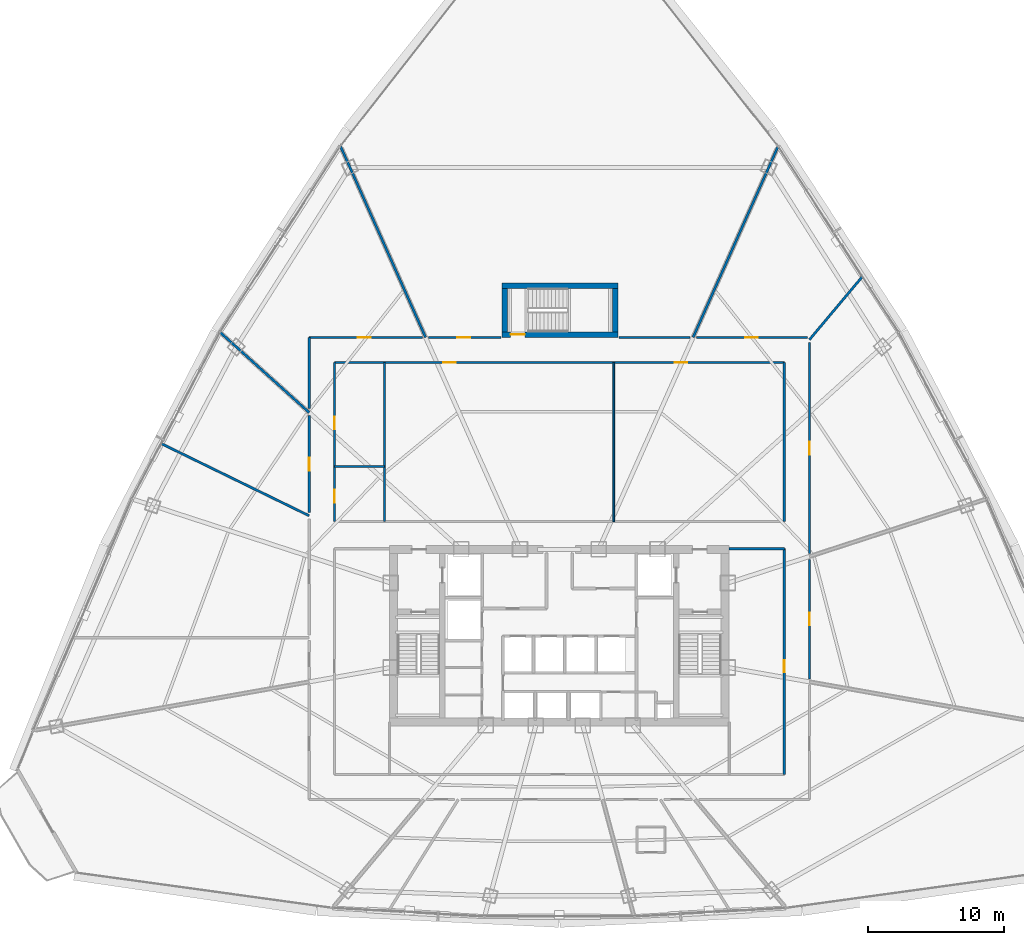
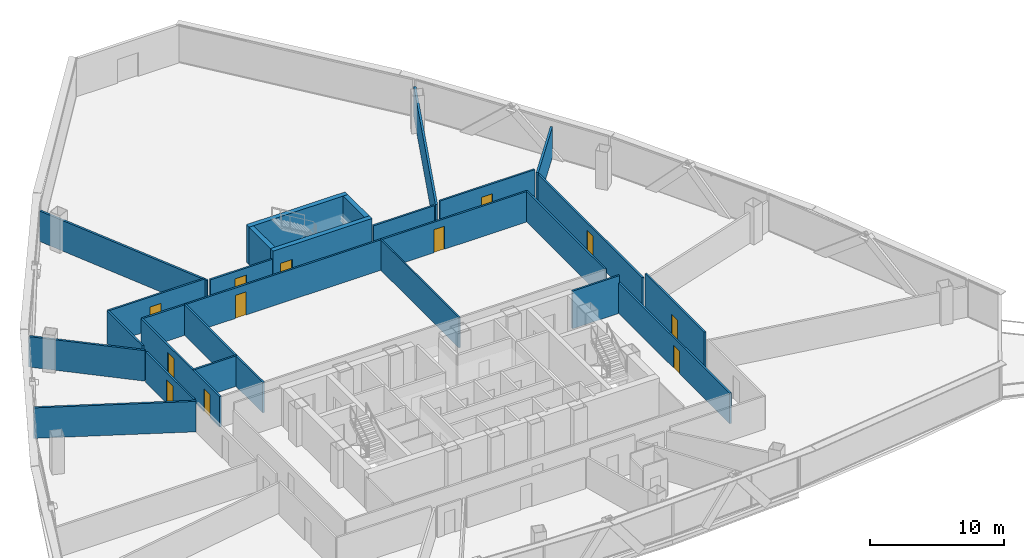
# One storey, part 34 of 39: 25 walls, 12 doors, 12 openings.
"""IFC4 building model written with IfcOpenShell, lengths in metres."""

import ifcopenshell
import ifcopenshell.guid

model = None  # the IFC model being written
_history = None  # IfcOwnerHistory: only IFC2X3 demands one
_inside = {}  # id of a spatial element -> (the spatial element, [elements in it])
_under = {}  # id of a project, library or spatial element -> (it, [spatial elements below it])
_declared = {}  # id of a project -> (the project, [libraries it declares])
_typed = {}  # id of a type object -> (the type object, [elements of that type])
_made_of = {}  # id of a material, layer set ... -> (it, [elements and type objects made of it])


def new_model(schema):
    """Start an empty IFC model of exactly this schema.

    Asked for "IFC4X3", IfcOpenShell would pick the latest addendum, in which some entities
    have other attributes; the version numbers below select the first issue.
    IFC2X3 requires an IfcOwnerHistory on every rooted entity: one is made here for all.
    """
    global model, _history
    if schema == "IFC4X3":
        model = ifcopenshell.file(schema_version=(4, 3, 0, 0))
    else:
        model = ifcopenshell.file(schema=schema)
    _inside.clear()
    _under.clear()
    _declared.clear()
    _typed.clear()
    _made_of.clear()
    _history = None
    if model.schema == "IFC2X3":
        org = make("IfcOrganization", Name="unknown")
        user = make(
            "IfcPersonAndOrganization",
            ThePerson=make("IfcPerson", FamilyName="unknown"),
            TheOrganization=org,
        )
        app = make(
            "IfcApplication",
            ApplicationDeveloper=org,
            Version="unknown",
            ApplicationFullName="unknown",
            ApplicationIdentifier="unknown",
        )
        _history = make(
            "IfcOwnerHistory",
            OwningUser=user,
            OwningApplication=app,
            ChangeAction="ADDED",
            CreationDate=0,
        )
    return model


def make(cls, **values):
    """One entity of the class cls with the attributes given. An attribute that is None is left unset."""
    return model.create_entity(
        cls, **{name: value for name, value in values.items() if value is not None}
    )


def rooted(cls, **values):
    """An entity with a GlobalId (a new one), such as an element, a storey or a relation."""
    return make(cls, GlobalId=ifcopenshell.guid.new(), OwnerHistory=_history, **values)


def si_unit(unit_type, name, prefix=None):
    """IfcSIUnit, for example si_unit("LENGTHUNIT", "METRE", prefix="MILLI")."""
    return make("IfcSIUnit", UnitType=unit_type, Prefix=prefix, Name=name)


def assignment(units):
    """IfcUnitAssignment: the units of a project."""
    return None if units is None else make("IfcUnitAssignment", Units=units)


def point(xyz):
    """IfcCartesianPoint."""
    return None if xyz is None else make("IfcCartesianPoint", Coordinates=xyz)


def direction(xyz):
    """IfcDirection."""
    return None if xyz is None else make("IfcDirection", DirectionRatios=xyz)


def frame(location, z_axis=None, x_axis=None):
    """IfcAxis2Placement3D, a coordinate frame: its origin and axes. An axis left out is left unset."""
    return make(
        "IfcAxis2Placement3D",
        Location=point(location),
        Axis=direction(z_axis),
        RefDirection=direction(x_axis),
    )


def frame_2d(location, x_axis=None):
    """IfcAxis2Placement2D, a coordinate frame in the plane: its origin and x axis."""
    return make(
        "IfcAxis2Placement2D", Location=point(location), RefDirection=direction(x_axis)
    )


def origin():
    """The frame at (0, 0, 0) with its axes left unset."""
    return frame((0.0, 0.0, 0.0))


def origin_with_axes():
    """The frame at (0, 0, 0) with the z axis (0, 0, 1) and the x axis (1, 0, 0) written out."""
    return frame((0.0, 0.0, 0.0), z_axis=(0.0, 0.0, 1.0), x_axis=(1.0, 0.0, 0.0))


def place(relative_to, where):
    """IfcLocalPlacement: puts the frame where relative to a parent placement (None: the world)."""
    return make(
        "IfcLocalPlacement", PlacementRelTo=relative_to, RelativePlacement=where
    )


def context(
    kind, dimensions, precision=None, world=None, true_north=None, identifier=None
):
    """IfcGeometricRepresentationContext, for example the 3D "Model" context."""
    return make(
        "IfcGeometricRepresentationContext",
        ContextIdentifier=identifier,
        ContextType=kind,
        CoordinateSpaceDimension=dimensions,
        Precision=precision,
        WorldCoordinateSystem=world,
        TrueNorth=true_north,
    )


def subcontext(parent, identifier, kind, view, scale=None):
    """IfcGeometricRepresentationSubContext, for example "Body" below "Model"."""
    return make(
        "IfcGeometricRepresentationSubContext",
        ContextIdentifier=identifier,
        ContextType=kind,
        ParentContext=parent,
        TargetScale=scale,
        TargetView=view,
    )


def project(units=None, contexts=None):
    """IfcProject with its units and contexts."""
    return rooted(
        "IfcProject",
        Name="project",
        RepresentationContexts=contexts,
        UnitsInContext=assignment(units),
    )


def spatial(cls, under=None, at=None, **own):
    """A site, building, storey or space (cls), placed at a placement, below another one or the project."""
    s = rooted(cls, ObjectPlacement=at, **own)
    if under is not None:
        _under.setdefault(under.id(), (under, []))[1].append(s)
    return s


def profile(cls, at=None, kind="AREA", **sizes):
    """A parametric profile (cls). Its sizes go by their IFC names, for example OverallWidth=200.0."""
    return make(cls, ProfileType=kind, Position=at, **sizes)


def rectangle(**sizes):
    """IfcRectangleProfileDef."""
    return profile("IfcRectangleProfileDef", **sizes)


def extrude(swept, where, along, depth):
    """IfcExtrudedAreaSolid: the profile swept, set in the frame where, extruded along a direction by depth."""
    return make(
        "IfcExtrudedAreaSolid",
        SweptArea=swept,
        Position=where,
        ExtrudedDirection=direction(along),
        Depth=depth,
    )


def shape(context_of_items, identifier, shape_type, items):
    """IfcShapeRepresentation: the items that make up one representation, for example the "Body"."""
    return make(
        "IfcShapeRepresentation",
        ContextOfItems=context_of_items,
        RepresentationIdentifier=identifier,
        RepresentationType=shape_type,
        Items=items,
    )


def source(mapping_origin, context_of_items, identifier, shape_type, items):
    """IfcRepresentationMap: a shape defined once, which mapped items show again and again."""
    return make(
        "IfcRepresentationMap",
        MappingOrigin=mapping_origin,
        MappedRepresentation=shape(context_of_items, identifier, shape_type, items),
    )


def transform(
    local_origin,
    x_axis=None,
    y_axis=None,
    z_axis=None,
    scale=None,
    scale2=None,
    scale3=None,
    uniform=True,
):
    """IfcCartesianTransformationOperator3D, or its non-uniform kind. x_axis, y_axis, z_axis: its Axis1, 2, 3."""
    if uniform:
        return make(
            "IfcCartesianTransformationOperator3D",
            Axis1=direction(x_axis),
            Axis2=direction(y_axis),
            LocalOrigin=point(local_origin),
            Scale=scale,
            Axis3=direction(z_axis),
        )
    return make(
        "IfcCartesianTransformationOperator3DnonUniform",
        Axis1=direction(x_axis),
        Axis2=direction(y_axis),
        LocalOrigin=point(local_origin),
        Scale=scale,
        Axis3=direction(z_axis),
        Scale2=scale2,
        Scale3=scale3,
    )


def mapped(mapping_source, mapping_target):
    """IfcMappedItem: shows the shape of a source again, moved by a transform."""
    return make(
        "IfcMappedItem", MappingSource=mapping_source, MappingTarget=mapping_target
    )


def material(Name=None, Category=None):
    """IfcMaterial."""
    return make("IfcMaterial", Name=Name, Category=Category)


def layer(
    of_material, thickness, ventilated=None, Name=None, Category=None, Priority=None
):
    """IfcMaterialLayer: one layer of a wall or slab, of a material (None: an air gap)."""
    return make(
        "IfcMaterialLayer",
        Material=of_material,
        LayerThickness=thickness,
        IsVentilated=ventilated,
        Name=Name,
        Category=Category,
        Priority=Priority,
    )


def layer_set(layers, Name=None):
    """IfcMaterialLayerSet."""
    return make("IfcMaterialLayerSet", MaterialLayers=layers, LayerSetName=Name)


def made_of(thing, what):
    """Note that an element or type object is made of a material, layer set ...; save() writes the relation."""
    if what is not None:
        _made_of.setdefault(what.id(), (what, []))[1].append(thing)
    return thing


def type_object(cls, material=None, **own):
    """A type object (cls), such as IfcWallType, which elements share."""
    return made_of(rooted(cls, **own), material)


def element(
    cls,
    number,
    at=None,
    inside=None,
    cuts=None,
    type_object=None,
    material=None,
    context=None,
    identifier="Body",
    shape_type=None,
    held_by="IfcProductDefinitionShape",
    body=None,
    shapes=None,
    **own,
):
    """One element of the class cls, such as IfcWall. Its Tag is "e" and its number.

    at: its placement. inside: the storey or other place that contains it. cuts: it is an
    opening in that element (IfcRelVoidsElement). A single representation is given by context,
    identifier, shape_type and body (its items); several are given by shapes. held_by: the class
    of the entity that holds the representations. save() writes the other relations.
    """
    e = rooted(cls, Tag="e%d" % number, ObjectPlacement=at, **own)
    if body is not None:
        shapes = [shape(context, identifier, shape_type, body)]
    if shapes is not None:
        e.Representation = make(held_by, Representations=shapes)
    if inside is not None:
        _inside.setdefault(inside.id(), (inside, []))[1].append(e)
    if cuts is not None:
        rooted(
            "IfcRelVoidsElement", RelatingBuildingElement=cuts, RelatedOpeningElement=e
        )
    if type_object is not None:
        _typed.setdefault(type_object.id(), (type_object, []))[1].append(e)
    return made_of(e, material)


def fill(opening, filler):
    """IfcRelFillsElement: the door or window that sits in an opening."""
    return rooted(
        "IfcRelFillsElement",
        RelatingOpeningElement=opening,
        RelatedBuildingElement=filler,
    )


def aggregate(whole, parts):
    """IfcRelAggregates: a whole, such as a stair, and the parts it consists of."""
    return rooted("IfcRelAggregates", RelatingObject=whole, RelatedObjects=parts)


def save(model, path):
    """Write the relations noted so far, then the file.

    IfcRelAggregates (storeys below a building ...), IfcRelContainedInSpatialStructure (elements
    in a storey), IfcRelDefinesByType, IfcRelAssociatesMaterial and IfcRelDeclares: one each for
    every whole, place, type object, material and project.
    """
    for whole, parts in _under.values():
        aggregate(whole, parts)
    for where, things in _inside.values():
        rooted(
            "IfcRelContainedInSpatialStructure",
            RelatedElements=things,
            RelatingStructure=where,
        )
    for kind, things in _typed.values():
        rooted("IfcRelDefinesByType", RelatedObjects=things, RelatingType=kind)
    for what, things in _made_of.values():
        rooted("IfcRelAssociatesMaterial", RelatedObjects=things, RelatingMaterial=what)
    for by, libraries in _declared.values():
        rooted("IfcRelDeclares", RelatingContext=by, RelatedDefinitions=libraries)
    model.write(path)


model = new_model("IFC4")

# Units and contexts
model_context = context("Model", 3, precision=1e-05, world=origin(), true_north=direction((0.0, 1.0)))
body_context = subcontext(model_context, "Body", "Model", "MODEL_VIEW")
ifc_project = project(units=[si_unit("LENGTHUNIT", "METRE"), si_unit("AREAUNIT", "SQUARE_METRE"), si_unit("VOLUMEUNIT", "CUBIC_METRE"), si_unit("PLANEANGLEUNIT", "RADIAN"), si_unit("MASSUNIT", "GRAM", prefix="KILO"), si_unit("THERMODYNAMICTEMPERATUREUNIT", "KELVIN"), si_unit("POWERUNIT", "WATT")], contexts=[model_context])

# Site, building, storey
site_placement = place(None, origin())
site = spatial("IfcSite", under=ifc_project, at=site_placement, CompositionType="ELEMENT")
building_placement = place(site_placement, origin())
building = spatial("IfcBuilding", under=site, at=building_placement, Name="Yunzhuo Pagoda Commons", CompositionType="ELEMENT")
storey_placement = place(building_placement, frame((0.0, 0.0, 148.22998046875)))
storey = spatial("IfcBuildingStorey", under=building, at=storey_placement, Name="L37", CompositionType="ELEMENT", Elevation=148.22998046875)

# Wall, openings, doors
ifc_material_1 = material(Name="Gypsum plasterboard on acoustic stud")
ifc_layer_1 = layer(ifc_material_1, 0.155029296875)
ifc_layer_set_1 = layer_set([ifc_layer_1], Name="Gypsum plasterboard on acoustic stud")
wall_type_1 = type_object("IfcWallType", Name="W-COR2 Mid-Zone Rated Corridor Wall 155", PredefinedType="PARTITIONING", material=ifc_layer_set_1)
wall_1_placement = place(storey_placement, frame((31.449951171875, 53.949951171875, 0.0), z_axis=(0.0, 0.0, 1.0), x_axis=(1.0, 0.0, 0.0)))
wall_1 = element("IfcWall", 1, at=wall_1_placement, inside=storey, type_object=wall_type_1, Name="L37 interior wall IW-L37-MCNN", PredefinedType="PARTITIONING", context=body_context, shape_type="SweptSolid", body=[
    extrude(rectangle(XDim=33.10009765625, YDim=0.155029296875, at=frame_2d((16.550048828125, 0.0))), origin(), (0.0, 0.0, 1.0), 2.77001953125),
])
opening_1_placement = place(wall_1_placement, frame((8.0, 0.0, 0.0)))
opening_1 = element("IfcOpeningElement", 2, at=opening_1_placement, cuts=wall_1, Name="Opening D-04", PredefinedType="OPENING", context=body_context, shape_type="SweptSolid", body=[
    extrude(rectangle(XDim=0.919921875, YDim=2.10009765625, at=frame_2d((0.4599609375, 1.050048828125))), frame((0.0, 0.08740234375, 0.0), z_axis=(0.0, -1.0, 0.0), x_axis=(1.0, 0.0, 0.0)), (0.0, 0.0, 1.0), 0.175048828125),
])
opening_2_placement = place(wall_1_placement, frame((25.050048828125, 0.0, 0.0)))
opening_2 = element("IfcOpeningElement", 3, at=opening_2_placement, cuts=wall_1, Name="Opening D-04", PredefinedType="OPENING", context=body_context, shape_type="SweptSolid", body=[
    extrude(rectangle(XDim=0.919921875, YDim=2.10009765625, at=frame_2d((0.4599609375, 1.050048828125))), frame((0.0, 0.08740234375, 0.0), z_axis=(0.0, -1.0, 0.0), x_axis=(1.0, 0.0, 0.0)), (0.0, 0.0, 1.0), 0.175048828125),
])
ifc_material_2 = material(Name="Powder-coated aluminium and timber acoustic leaf", Category="wood")
door_type_1 = type_object("IfcDoorType", Name="D-04 Bedroom & Study Interior Door 920x2100", OperationType="NOTDEFINED", PredefinedType="DOOR", material=ifc_material_2)
shared_shape_1 = source(origin(), body_context, "Body", "SweptSolid", [
    extrude(rectangle(XDim=0.919921875, YDim=2.10009765625, at=frame_2d((0.4599609375, 1.050048828125))), frame((0.0, 0.02490234375, 0.0), z_axis=(0.0, -1.0, 0.0), x_axis=(1.0, 0.0, 0.0)), (0.0, 0.0, 1.0), 0.050048828125),
])
door_1_placement = place(opening_1_placement, origin_with_axes())
door_1 = element("IfcDoor", 4, at=door_1_placement, inside=storey, type_object=door_type_1, Name="L37 reading commons door", OperationType="SINGLE_SWING_LEFT", OverallHeight=2.10009765625, OverallWidth=0.919921875, PredefinedType="DOOR", context=body_context, shape_type="MappedRepresentation", body=[
    mapped(shared_shape_1, transform((0.0, 0.0, 0.0), scale=1.0)),
])
fill(opening_1, door_1)
door_2_placement = place(opening_2_placement, origin_with_axes())
door_2 = element("IfcDoor", 5, at=door_2_placement, inside=storey, type_object=door_type_1, Name="L37 seminar commons door", OperationType="SINGLE_SWING_RIGHT", OverallHeight=2.10009765625, OverallWidth=0.919921875, PredefinedType="DOOR", context=body_context, shape_type="MappedRepresentation", body=[
    mapped(shared_shape_1, transform((0.0, 0.0, 0.0), scale=1.0)),
])
fill(opening_2, door_2)

wall_2_placement = place(storey_placement, frame((31.449951171875, 42.25, 0.0), z_axis=(0.0, 0.0, 1.0), x_axis=(0.0, 1.0, 0.0)))
wall_2 = element("IfcWall", 6, at=wall_2_placement, inside=storey, type_object=wall_type_1, Name="L37 interior wall IW-L37-MCNW", PredefinedType="PARTITIONING", context=body_context, shape_type="SweptSolid", body=[
    extrude(rectangle(XDim=11.699951171875, YDim=0.155029296875, at=frame_2d((5.85009765625, 0.0))), origin(), (0.0, 0.0, 1.0), 2.77001953125),
])
opening_3_placement = place(wall_2_placement, frame((1.39990234375, 0.0, 0.0)))
opening_3 = element("IfcOpeningElement", 7, at=opening_3_placement, cuts=wall_2, Name="Opening D-11", PredefinedType="OPENING", context=body_context, shape_type="SweptSolid", body=[
    extrude(rectangle(XDim=0.93994140625, YDim=2.10009765625, at=frame_2d((0.469970703125, 1.050048828125))), frame((0.0, 0.08740234375, 0.0), z_axis=(0.0, -1.0, 0.0), x_axis=(1.0, 0.0, 0.0)), (0.0, 0.0, 1.0), 0.175048828125),
])
opening_4_placement = place(wall_2_placement, frame((6.800048828125, 0.0, 0.0)))
opening_4 = element("IfcOpeningElement", 8, at=opening_4_placement, cuts=wall_2, Name="Opening D-04", PredefinedType="OPENING", context=body_context, shape_type="SweptSolid", body=[
    extrude(rectangle(XDim=0.919921875, YDim=2.10009765625, at=frame_2d((0.4599609375, 1.050048828125))), frame((0.0, 0.08740234375, 0.0), z_axis=(0.0, -1.0, 0.0), x_axis=(1.0, 0.0, 0.0)), (0.0, 0.0, 1.0), 0.175048828125),
])
ifc_material_3 = material(Name="Galvanized fire-resisting metal leaf")
door_type_2 = type_object("IfcDoorType", Name="D-11 Accessible Washroom Fire Door 940x2100", OperationType="NOTDEFINED", PredefinedType="DOOR", material=ifc_material_3)
shared_shape_2 = source(origin(), body_context, "Body", "SweptSolid", [
    extrude(rectangle(XDim=0.93994140625, YDim=2.10009765625, at=frame_2d((0.469970703125, 1.050048828125))), frame((0.0, 0.02490234375, 0.0), z_axis=(0.0, -1.0, 0.0), x_axis=(1.0, 0.0, 0.0)), (0.0, 0.0, 1.0), 0.050048828125),
])
door_3_placement = place(opening_3_placement, origin_with_axes())
door_3 = element("IfcDoor", 9, at=door_3_placement, inside=storey, type_object=door_type_2, Name="L37 accessible WC door", OperationType="SINGLE_SWING_LEFT", OverallHeight=2.10009765625, OverallWidth=0.93994140625, PredefinedType="DOOR", context=body_context, shape_type="MappedRepresentation", body=[
    mapped(shared_shape_2, transform((0.0, 0.0, 0.0), scale=1.0)),
])
fill(opening_3, door_3)
door_4_placement = place(opening_4_placement, origin_with_axes())
door_4 = element("IfcDoor", 10, at=door_4_placement, inside=storey, type_object=door_type_1, Name="L37 laundry door", OperationType="SINGLE_SWING_RIGHT", OverallHeight=2.10009765625, OverallWidth=0.919921875, PredefinedType="DOOR", context=body_context, shape_type="MappedRepresentation", body=[
    mapped(shared_shape_1, transform((0.0, 0.0, 0.0), scale=1.0)),
])
fill(opening_4, door_4)

# Walls
for number, where, z_axis, x_axis, name in (
    (11, (64.550048828125, 42.25, 0.0), (0.0, 0.0, 1.0), (0.0, 1.0, 0.0), "L37 interior wall IW-L37-MCNE"),
    (12, (35.14990234375, 42.25, 0.0), (0.0, 0.0, 1.0), (0.0, 1.0, 0.0), "L37 interior wall IW-L37-MCWCE"),
):
    element("IfcWall", number, at=place(storey_placement, frame(where, z_axis=z_axis, x_axis=x_axis)), inside=storey, type_object=wall_type_1, Name=name, PredefinedType="PARTITIONING", context=body_context, shape_type="SweptSolid", body=[
        extrude(rectangle(XDim=11.699951171875, YDim=0.155029296875, at=frame_2d((5.85009765625, 0.0))), origin(), (0.0, 0.0, 1.0), 2.77001953125),
    ])
wall_3_placement = place(storey_placement, frame((31.449951171875, 46.300048828125, 0.0), z_axis=(0.0, 0.0, 1.0), x_axis=(1.0, 0.0, 0.0)))
element("IfcWall", 13, at=wall_3_placement, inside=storey, type_object=wall_type_1, Name="L37 interior wall IW-L37-MCWCN", PredefinedType="PARTITIONING", context=body_context, shape_type="SweptSolid", body=[
    extrude(rectangle(XDim=3.699951171875, YDim=0.155029296875, at=frame_2d((1.85009765625, 0.0))), origin(), (0.0, 0.0, 1.0), 2.77001953125),
])

# Wall, opening, door
wall_4_placement = place(storey_placement, frame((64.550048828125, 23.64990234375, 0.0), z_axis=(0.0, 0.0, 1.0), x_axis=(0.0, 1.0, 0.0)))
wall_4 = element("IfcWall", 14, at=wall_4_placement, inside=storey, type_object=wall_type_1, Name="L37 interior wall IW-L37-SFLE", PredefinedType="PARTITIONING", context=body_context, shape_type="SweptSolid", body=[
    extrude(rectangle(XDim=16.60009765625, YDim=0.155029296875, at=frame_2d((8.300048828125, 0.0))), origin(), (0.0, 0.0, 1.0), 2.77001953125),
])
opening_5_placement = place(wall_4_placement, frame((7.5, 0.0, 0.0)))
opening_5 = element("IfcOpeningElement", 15, at=opening_5_placement, cuts=wall_4, Name="Opening D-12", PredefinedType="OPENING", context=body_context, shape_type="SweptSolid", body=[
    extrude(rectangle(XDim=0.89990234375, YDim=2.080078125, at=frame_2d((0.449951171875, 1.0400390625))), frame((0.0, 0.08740234375, 0.0), z_axis=(0.0, -1.0, 0.0), x_axis=(1.0, 0.0, 0.0)), (0.0, 0.0, 1.0), 0.175048828125),
])
door_type_3 = type_object("IfcDoorType", Name="D-12 Quiet Study Interior Door 900x2080", OperationType="NOTDEFINED", PredefinedType="DOOR", material=ifc_material_2)
shared_shape_3 = source(origin(), body_context, "Body", "SweptSolid", [
    extrude(rectangle(XDim=0.89990234375, YDim=2.080078125, at=frame_2d((0.449951171875, 1.0400390625))), frame((0.0, 0.02490234375, 0.0), z_axis=(0.0, -1.0, 0.0), x_axis=(1.0, 0.0, 0.0)), (0.0, 0.0, 1.0), 0.050048828125),
])
door_5_placement = place(opening_5_placement, frame((0.89990234375, 0.0, 0.0), z_axis=(0.0, 0.0, 1.0), x_axis=(-1.0, 0.0, 0.0)))
door_5 = element("IfcDoor", 16, at=door_5_placement, inside=storey, type_object=door_type_3, Name="L37 east study workroom door", OperationType="SINGLE_SWING_RIGHT", OverallHeight=2.080078125, OverallWidth=0.89990234375, PredefinedType="DOOR", context=body_context, shape_type="MappedRepresentation", body=[
    mapped(shared_shape_3, transform((0.0, 0.0, 0.0), scale=1.0)),
])
fill(opening_5, door_5)

# Wall
wall_5_placement = place(storey_placement, frame((60.5, 40.25, 0.0), z_axis=(0.0, 0.0, 1.0), x_axis=(1.0, 0.0, 0.0)))
element("IfcWall", 17, at=wall_5_placement, inside=storey, type_object=wall_type_1, Name="L37 interior wall IW-L37-SFLNE", PredefinedType="PARTITIONING", context=body_context, shape_type="SweptSolid", body=[
    extrude(rectangle(XDim=4.050048828125, YDim=0.155029296875, at=frame_2d((2.02490234375, 0.0))), origin(), (0.0, 0.0, 1.0), 3.419921875),
])

# Wall, opening, door
wall_6_placement = place(storey_placement, frame((29.60009765625, 42.919189453125, 0.0), z_axis=(0.0, 0.0, 1.0), x_axis=(0.0, 1.0, 0.0)))
wall_6 = element("IfcWall", 18, at=wall_6_placement, inside=storey, type_object=wall_type_1, Name="L37 interior wall IW-L37-CWL04", PredefinedType="PARTITIONING", context=body_context, shape_type="SweptSolid", body=[
    extrude(rectangle(XDim=7.12841796875, YDim=0.155029296875, at=frame_2d((3.564208984375, 0.0))), origin(), (0.0, 0.0, 1.0), 2.77001953125),
])
opening_6_placement = place(wall_6_placement, frame((3.07666015625, 0.0, 0.0)))
opening_6 = element("IfcOpeningElement", 19, at=opening_6_placement, cuts=wall_6, Name="Opening D-07", PredefinedType="OPENING", context=body_context, shape_type="SweptSolid", body=[
    extrude(rectangle(XDim=0.9599609375, YDim=2.1201171875, at=frame_2d((0.47998046875, 1.06005859375))), frame((0.0, 0.08740234375, 0.0), z_axis=(0.0, -1.0, 0.0), x_axis=(1.0, 0.0, 0.0)), (0.0, 0.0, 1.0), 0.175048828125),
])
door_type_4 = type_object("IfcDoorType", Name="D-07 Mid-Zone Suite Entrance Fire Door 960x2120", OperationType="NOTDEFINED", PredefinedType="DOOR", material=ifc_material_3)
shared_shape_4 = source(origin(), body_context, "Body", "SweptSolid", [
    extrude(rectangle(XDim=0.9599609375, YDim=2.1201171875, at=frame_2d((0.47998046875, 1.06005859375))), frame((0.0, 0.02490234375, 0.0), z_axis=(0.0, -1.0, 0.0), x_axis=(1.0, 0.0, 0.0)), (0.0, 0.0, 1.0), 0.050048828125),
])
door_6_placement = place(opening_6_placement, origin_with_axes())
door_6 = element("IfcDoor", 20, at=door_6_placement, inside=storey, type_object=door_type_4, Name="L37 unit 06 entrance door", OperationType="SINGLE_SWING_LEFT", OverallHeight=2.1201171875, OverallWidth=0.9599609375, PredefinedType="DOOR", context=body_context, shape_type="MappedRepresentation", body=[
    mapped(shared_shape_4, transform((0.0, 0.0, 0.0), scale=1.0)),
])
fill(opening_6, door_6)

# Wall
wall_7_placement = place(storey_placement, frame((29.60009765625, 50.5634765625, 0.0), z_axis=(0.0, 0.0, 1.0), x_axis=(0.0, 1.0, 0.0)))
element("IfcWall", 21, at=wall_7_placement, inside=storey, type_object=wall_type_1, Name="L37 interior wall IW-L37-CWL05", PredefinedType="PARTITIONING", context=body_context, shape_type="SweptSolid", body=[
    extrude(rectangle(XDim=5.236572265625, YDim=0.155029296875, at=frame_2d((2.6181640625, 0.0))), origin(), (0.0, 0.0, 1.0), 3.02001953125),
])

# Wall, opening, door
wall_8_placement = place(storey_placement, frame((29.60009765625, 55.800048828125, 0.0), z_axis=(0.0, 0.0, 1.0), x_axis=(1.0, 0.0, 0.0)))
wall_8 = element("IfcWall", 22, at=wall_8_placement, inside=storey, type_object=wall_type_1, Name="L37 interior wall IW-L37-CWL06", PredefinedType="PARTITIONING", context=body_context, shape_type="SweptSolid", body=[
    extrude(rectangle(XDim=8.319580078125, YDim=0.155029296875, at=frame_2d((4.15966796875, 0.0))), origin(), (0.0, 0.0, 1.0), 3.02001953125),
])
opening_7_placement = place(wall_8_placement, frame((3.5751953125, 0.0, 0.0)))
opening_7 = element("IfcOpeningElement", 23, at=opening_7_placement, cuts=wall_8, Name="Opening D-07", PredefinedType="OPENING", context=body_context, shape_type="SweptSolid", body=[
    extrude(rectangle(XDim=0.9599609375, YDim=2.1201171875, at=frame_2d((0.47998046875, 1.06005859375))), frame((0.0, 0.08740234375, 0.0), z_axis=(0.0, -1.0, 0.0), x_axis=(1.0, 0.0, 0.0)), (0.0, 0.0, 1.0), 0.175048828125),
])
door_7_placement = place(opening_7_placement, origin_with_axes())
door_7 = element("IfcDoor", 24, at=door_7_placement, inside=storey, type_object=door_type_4, Name="L37 unit 05 entrance door", OperationType="SINGLE_SWING_RIGHT", OverallHeight=2.1201171875, OverallWidth=0.9599609375, PredefinedType="DOOR", context=body_context, shape_type="MappedRepresentation", body=[
    mapped(shared_shape_4, transform((0.0, 0.0, 0.0), scale=1.0)),
])
fill(opening_7, door_7)

wall_9_placement = place(storey_placement, frame((38.380126953125, 55.800048828125, 0.0), z_axis=(0.0, 0.0, 1.0), x_axis=(1.0, 0.0, 0.0)))
wall_9 = element("IfcWall", 25, at=wall_9_placement, inside=storey, type_object=wall_type_1, Name="L37 interior wall IW-L37-CWL07", PredefinedType="PARTITIONING", context=body_context, shape_type="SweptSolid", body=[
    extrude(rectangle(XDim=5.328857421875, YDim=0.155029296875, at=frame_2d((2.66455078125, 0.0))), origin(), (0.0, 0.0, 1.0), 2.77001953125),
])
opening_8_placement = place(wall_9_placement, frame((2.114990234375, 0.0, 0.0)))
opening_8 = element("IfcOpeningElement", 26, at=opening_8_placement, cuts=wall_9, Name="Opening D-07", PredefinedType="OPENING", context=body_context, shape_type="SweptSolid", body=[
    extrude(rectangle(XDim=0.9599609375, YDim=2.1201171875, at=frame_2d((0.47998046875, 1.06005859375))), frame((0.0, 0.08740234375, 0.0), z_axis=(0.0, -1.0, 0.0), x_axis=(1.0, 0.0, 0.0)), (0.0, 0.0, 1.0), 0.175048828125),
])
door_8_placement = place(opening_8_placement, origin_with_axes())
door_8 = element("IfcDoor", 27, at=door_8_placement, inside=storey, type_object=door_type_4, Name="L37 unit 04 entrance door", OperationType="SINGLE_SWING_LEFT", OverallHeight=2.1201171875, OverallWidth=0.9599609375, PredefinedType="DOOR", context=body_context, shape_type="MappedRepresentation", body=[
    mapped(shared_shape_4, transform((0.0, 0.0, 0.0), scale=1.0)),
])
fill(opening_8, door_8)

# Wall
wall_10_placement = place(storey_placement, frame((52.39111328125, 55.800048828125, 0.0), z_axis=(0.0, 0.0, 1.0), x_axis=(1.0, 0.0, 0.0)))
element("IfcWall", 28, at=wall_10_placement, inside=storey, type_object=wall_type_1, Name="L37 interior wall IW-L37-CWL08", PredefinedType="PARTITIONING", context=body_context, shape_type="SweptSolid", body=[
    extrude(rectangle(XDim=5.228759765625, YDim=0.155029296875, at=frame_2d((2.6142578125, 0.0))), origin(), (0.0, 0.0, 1.0), 2.77001953125),
])

# Wall, opening, door
wall_11_placement = place(storey_placement, frame((58.080322265625, 55.800048828125, 0.0), z_axis=(0.0, 0.0, 1.0), x_axis=(1.0, 0.0, 0.0)))
wall_11 = element("IfcWall", 29, at=wall_11_placement, inside=storey, type_object=wall_type_1, Name="L37 interior wall IW-L37-CWL09", PredefinedType="PARTITIONING", context=body_context, shape_type="SweptSolid", body=[
    extrude(rectangle(XDim=8.176513671875, YDim=0.155029296875, at=frame_2d((4.08837890625, 0.0))), origin(), (0.0, 0.0, 1.0), 3.02001953125),
])
opening_9_placement = place(wall_11_placement, frame((3.59619140625, 0.0, 0.0)))
opening_9 = element("IfcOpeningElement", 30, at=opening_9_placement, cuts=wall_11, Name="Opening D-04", PredefinedType="OPENING", context=body_context, shape_type="SweptSolid", body=[
    extrude(rectangle(XDim=0.919921875, YDim=2.10009765625, at=frame_2d((0.4599609375, 1.050048828125))), frame((0.0, 0.08740234375, 0.0), z_axis=(0.0, -1.0, 0.0), x_axis=(1.0, 0.0, 0.0)), (0.0, 0.0, 1.0), 0.175048828125),
])
door_9_placement = place(opening_9_placement, origin_with_axes())
door_9 = element("IfcDoor", 31, at=door_9_placement, inside=storey, type_object=door_type_1, Name="L37 seminar room 03 door", OperationType="SINGLE_SWING_RIGHT", OverallHeight=2.10009765625, OverallWidth=0.919921875, PredefinedType="DOOR", context=body_context, shape_type="MappedRepresentation", body=[
    mapped(shared_shape_1, transform((0.0, 0.0, 0.0), scale=1.0)),
])
fill(opening_9, door_9)

wall_12_placement = place(storey_placement, frame((66.39990234375, 55.408447265625, 0.0), z_axis=(0.0, 0.0, 1.0), x_axis=(0.0, -1.0, 0.0)))
wall_12 = element("IfcWall", 32, at=wall_12_placement, inside=storey, type_object=wall_type_1, Name="L37 interior wall IW-L37-CWL10", PredefinedType="PARTITIONING", context=body_context, shape_type="SweptSolid", body=[
    extrude(rectangle(XDim=15.49853515625, YDim=0.155029296875, at=frame_2d((7.749267578125, 0.0))), origin(), (0.0, 0.0, 1.0), 2.77001953125),
])
opening_10_placement = place(wall_12_placement, frame((7.280029296875, 0.0, 0.0)))
opening_10 = element("IfcOpeningElement", 33, at=opening_10_placement, cuts=wall_12, Name="Opening D-07", PredefinedType="OPENING", context=body_context, shape_type="SweptSolid", body=[
    extrude(rectangle(XDim=0.9599609375, YDim=2.1201171875, at=frame_2d((0.47998046875, 1.06005859375))), frame((0.0, 0.08740234375, 0.0), z_axis=(0.0, -1.0, 0.0), x_axis=(1.0, 0.0, 0.0)), (0.0, 0.0, 1.0), 0.175048828125),
])
door_10_placement = place(opening_10_placement, origin_with_axes())
door_10 = element("IfcDoor", 34, at=door_10_placement, inside=storey, type_object=door_type_4, Name="L37 Shared Resident Kitchen and Pantry door", OperationType="SINGLE_SWING_LEFT", OverallHeight=2.1201171875, OverallWidth=0.9599609375, PredefinedType="DOOR", context=body_context, shape_type="MappedRepresentation", body=[
    mapped(shared_shape_4, transform((0.0, 0.0, 0.0), scale=1.0)),
])
fill(opening_10, door_10)

wall_13_placement = place(storey_placement, frame((66.39990234375, 39.458740234375, 0.0), z_axis=(0.0, 0.0, 1.0), x_axis=(0.0, -1.0, 0.0)))
wall_13 = element("IfcWall", 35, at=wall_13_placement, inside=storey, type_object=wall_type_1, Name="L37 interior wall IW-L37-CWL11", PredefinedType="PARTITIONING", context=body_context, shape_type="SweptSolid", body=[
    extrude(rectangle(XDim=8.783447265625, YDim=0.155029296875, at=frame_2d((4.3916015625, 0.0))), origin(), (0.0, 0.0, 1.0), 3.419921875),
])
opening_11_placement = place(wall_13_placement, frame((3.931640625, 0.0, 0.0)))
opening_11 = element("IfcOpeningElement", 36, at=opening_11_placement, cuts=wall_13, Name="Opening D-04", PredefinedType="OPENING", context=body_context, shape_type="SweptSolid", body=[
    extrude(rectangle(XDim=0.919921875, YDim=2.10009765625, at=frame_2d((0.4599609375, 1.050048828125))), frame((0.0, 0.08740234375, 0.0), z_axis=(0.0, -1.0, 0.0), x_axis=(1.0, 0.0, 0.0)), (0.0, 0.0, 1.0), 0.175048828125),
])
door_11_placement = place(opening_11_placement, origin_with_axes())
door_11 = element("IfcDoor", 37, at=door_11_placement, inside=storey, type_object=door_type_1, Name="L37 seminar room 01 door", OperationType="SINGLE_SWING_RIGHT", OverallHeight=2.10009765625, OverallWidth=0.919921875, PredefinedType="DOOR", context=body_context, shape_type="MappedRepresentation", body=[
    mapped(shared_shape_1, transform((0.0, 0.0, 0.0), scale=1.0)),
])
fill(opening_11, door_11)

# Walls
ifc_layer_2 = layer(ifc_material_1, 0.1201171875)
ifc_layer_set_2 = layer_set([ifc_layer_2], Name="Gypsum plasterboard on acoustic stud")
wall_type_2 = type_object("IfcWallType", Name="W-PRT1 Suite & Bathroom Partition 120", PredefinedType="PARTITIONING", material=ifc_layer_set_2)
wall_14_placement = place(storey_placement, frame((52.0, 42.25, 0.0), z_axis=(0.0, 0.0, 1.0), x_axis=(0.0, 1.0, 0.0)))
element("IfcWall", 38, at=wall_14_placement, inside=storey, type_object=wall_type_2, Name="L37 interior wall IW-L37-MCDIV", PredefinedType="PARTITIONING", context=body_context, shape_type="SweptSolid", body=[
    extrude(rectangle(XDim=11.699951171875, YDim=0.1201171875, at=frame_2d((5.85009765625, 0.0))), origin(), (0.0, 0.0, 1.0), 2.77001953125),
])
ifc_layer_3 = layer(ifc_material_1, 0.175048828125)
ifc_layer_set_3 = layer_set([ifc_layer_3], Name="Gypsum plasterboard on acoustic stud")
wall_type_3 = type_object("IfcWallType", Name="W-PRT3 Mid-Zone Demising Wall 175", PredefinedType="PARTITIONING", material=ifc_layer_set_3)
wall_15_placement = place(storey_placement, frame((66.39990234375, 55.62841796875, 0.0), z_axis=(0.0, 0.0, 1.0), x_axis=(0.642804736834, 0.766030071409, 0.0)))
element("IfcWall", 39, at=wall_15_placement, inside=storey, type_object=wall_type_3, Name="L37 interior wall IW-L37-RAD02", PredefinedType="PARTITIONING", context=body_context, shape_type="SweptSolid", body=[
    extrude(rectangle(XDim=6.076416015625, YDim=0.175048828125, at=frame_2d((3.0380859375, 0.0))), origin(), (0.0, 0.0, 1.0), 2.77001953125),
])
for number, where, z_axis, x_axis, name in (
    (40, (57.839599609375, 55.800048828125, 0.0), (0.0, 0.0, 1.0), (0.406735812773, 0.913545827317, 0.0), "L37 interior wall IW-L37-RAD03"),
    (41, (38.160400390625, 55.800048828125, 0.0), (0.0, 0.0, 1.0), (-0.406735812773, 0.913545827317, 0.0), "L37 interior wall IW-L37-RAD04"),
):
    element("IfcWall", number, at=place(storey_placement, frame(where, z_axis=z_axis, x_axis=x_axis)), inside=storey, type_object=wall_type_3, Name=name, PredefinedType="PARTITIONING", context=body_context, shape_type="SweptSolid", body=[
        extrude(rectangle(XDim=15.393798828125, YDim=0.175048828125, at=frame_2d((7.69677734375, 0.0))), origin(), (0.0, 0.0, 1.0), 2.77001953125),
    ])
wall_16_placement = place(storey_placement, frame((29.60009765625, 50.267333984375, 0.0), z_axis=(0.0, 0.0, 1.0), x_axis=(-0.743144335498, 0.669131150535, 0.0)))
element("IfcWall", 42, at=wall_16_placement, inside=storey, type_object=wall_type_3, Name="L37 interior wall IW-L37-RAD05", PredefinedType="PARTITIONING", context=body_context, shape_type="SweptSolid", body=[
    extrude(rectangle(XDim=8.833740234375, YDim=0.175048828125, at=frame_2d((4.4169921875, 0.0))), origin(), (0.0, 0.0, 1.0), 2.77001953125),
])
wall_17_placement = place(storey_placement, frame((29.60009765625, 42.67431640625, 0.0), z_axis=(0.0, 0.0, 1.0), x_axis=(-0.898797277455, 0.438364521875, 0.0)))
element("IfcWall", 43, at=wall_17_placement, inside=storey, type_object=wall_type_3, Name="L37 interior wall IW-L37-RAD06", PredefinedType="PARTITIONING", context=body_context, shape_type="SweptSolid", body=[
    extrude(rectangle(XDim=12.125, YDim=0.175048828125, at=frame_2d((6.0625, 0.0))), origin(), (0.0, 0.0, 1.0), 2.77001953125),
])
ifc_material_4 = material(Name="Concrete C60", Category="concrete")
ifc_layer_4 = layer(ifc_material_4, 0.39990234375)
ifc_layer_set_4 = layer_set([ifc_layer_4], Name="Concrete C60")
wall_type_4 = type_object("IfcWallType", Name="W-S01 Internal Core Shear Web 400", PredefinedType="SHEAR", material=ifc_layer_set_4)
wall_18_placement = place(storey_placement, frame((43.800048828125, 59.60009765625, 0.0), z_axis=(0.0, 0.0, 1.0), x_axis=(1.0, 0.0, 0.0)))
element("IfcWall", 44, at=wall_18_placement, inside=storey, type_object=wall_type_4, Name="L37 ST3 structural stair wall N", PredefinedType="SHEAR", context=body_context, shape_type="SweptSolid", body=[
    extrude(rectangle(XDim=8.5, YDim=0.39990234375, at=frame_2d((4.25, 0.0))), origin(), (0.0, 0.0, 1.0), 3.419921875),
])

# Wall, opening, door
wall_19_placement = place(storey_placement, frame((43.800048828125, 56.0, 0.0), z_axis=(0.0, 0.0, 1.0), x_axis=(1.0, 0.0, 0.0)))
wall_19 = element("IfcWall", 45, at=wall_19_placement, inside=storey, type_object=wall_type_4, Name="L37 ST3 structural stair wall S", PredefinedType="SHEAR", context=body_context, shape_type="SweptSolid", body=[
    extrude(rectangle(XDim=8.5, YDim=0.39990234375, at=frame_2d((4.25, 0.0))), origin(), (0.0, 0.0, 1.0), 3.419921875),
])
opening_12_placement = place(wall_19_placement, frame((0.6201171875, 0.0, 0.0)))
opening_12 = element("IfcOpeningElement", 46, at=opening_12_placement, cuts=wall_19, Name="Opening D-01", PredefinedType="OPENING", context=body_context, shape_type="SweptSolid", body=[
    extrude(rectangle(XDim=1.050048828125, YDim=2.10009765625, at=frame_2d((0.52490234375, 1.050048828125))), frame((0.0, 0.2099609375, 0.0), z_axis=(0.0, -1.0, 0.0), x_axis=(1.0, 0.0, 0.0)), (0.0, 0.0, 1.0), 0.419921875),
])
door_type_5 = type_object("IfcDoorType", Name="D-01 Smokeproof Stair Fire Door 1050x2100", OperationType="NOTDEFINED", PredefinedType="DOOR", material=ifc_material_3)
shared_shape_5 = source(origin(), body_context, "Body", "SweptSolid", [
    extrude(rectangle(XDim=1.050048828125, YDim=2.10009765625, at=frame_2d((0.52490234375, 1.050048828125))), frame((0.0, 0.02490234375, 0.0), z_axis=(0.0, -1.0, 0.0), x_axis=(1.0, 0.0, 0.0)), (0.0, 0.0, 1.0), 0.050048828125),
])
door_12_placement = place(opening_12_placement, frame((1.050048828125, 0.0, 0.0), z_axis=(0.0, 0.0, 1.0), x_axis=(-1.0, 0.0, 0.0)))
door_12 = element("IfcDoor", 47, at=door_12_placement, inside=storey, type_object=door_type_5, Name="L37 Stair ST3 fire door", OperationType="SINGLE_SWING_LEFT", OverallHeight=2.10009765625, OverallWidth=1.050048828125, PredefinedType="DOOR", context=body_context, shape_type="MappedRepresentation", body=[
    mapped(shared_shape_5, transform((0.0, 0.0, 0.0), scale=1.0)),
])
fill(opening_12, door_12)

# Walls
for number, where, z_axis, x_axis, name in (
    (48, (44.0, 56.199951171875, 0.0), (0.0, 0.0, 1.0), (0.0, 1.0, 0.0), "L37 ST3 structural stair wall W"),
    (49, (52.10009765625, 56.199951171875, 0.0), (0.0, 0.0, 1.0), (0.0, 1.0, 0.0), "L37 ST3 structural stair wall E"),
):
    element("IfcWall", number, at=place(storey_placement, frame(where, z_axis=z_axis, x_axis=x_axis)), inside=storey, type_object=wall_type_4, Name=name, PredefinedType="SHEAR", context=body_context, shape_type="SweptSolid", body=[
        extrude(rectangle(XDim=3.199951171875, YDim=0.39990234375, at=frame_2d((1.60009765625, 0.0))), origin(), (0.0, 0.0, 1.0), 3.419921875),
    ])

save(model, "model.ifc")
